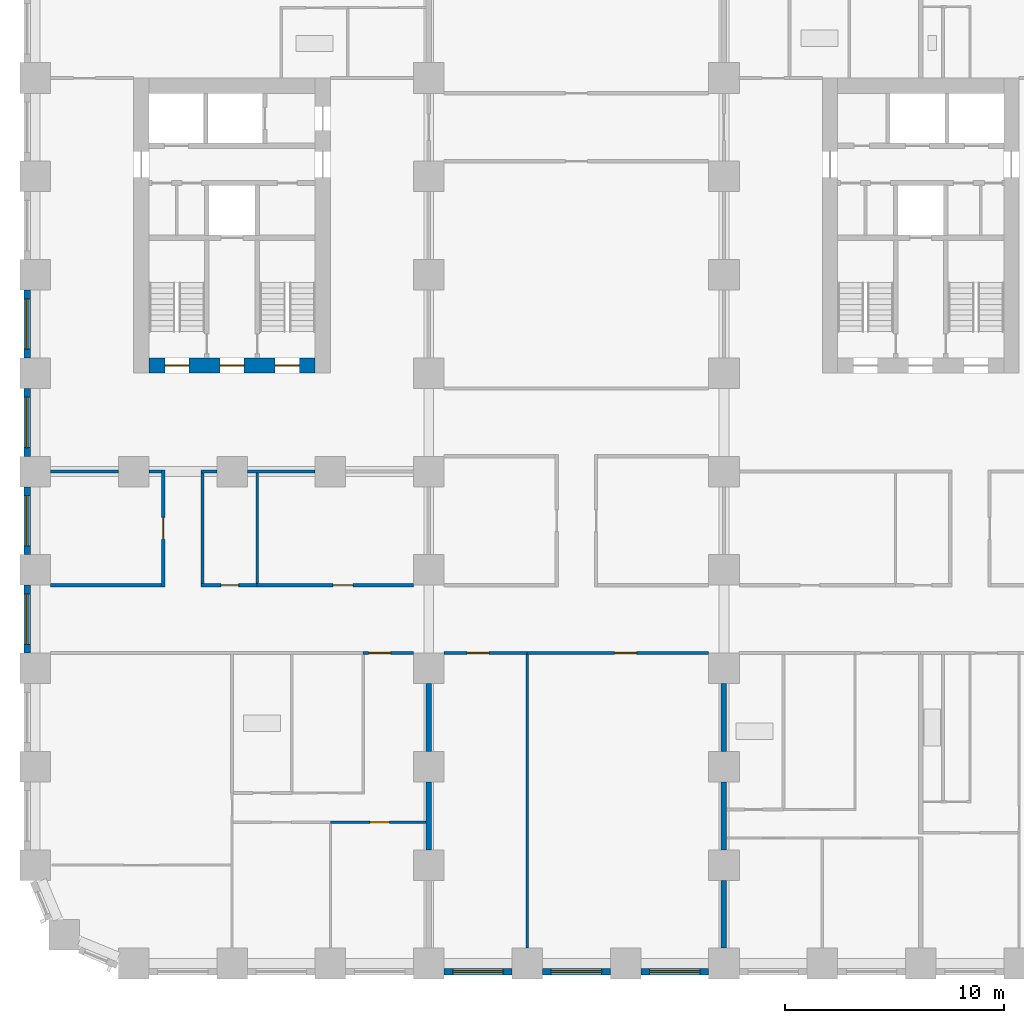
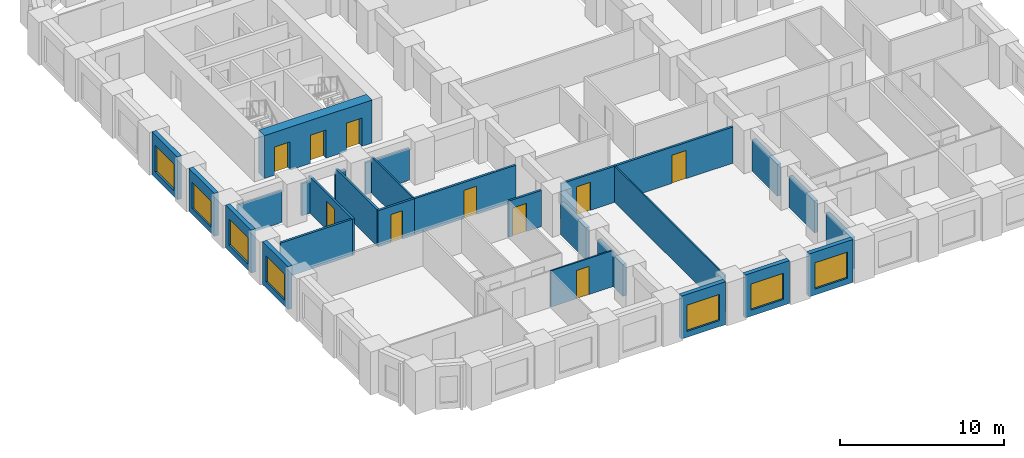
# One storey, part 3 of 12: 28 walls, 10 doors, 7 windows, 17 openings.
"""IFC4 building model written with IfcOpenShell, lengths in metres."""

from ifc_helpers import new_model, si_unit, direction, frame, frame_2d, origin, place, context, subcontext, project, spatial, rectangle, extrude, material, layer, layer_set, type_object, element, fill, save


model = new_model("IFC4")

# Units and contexts
model_context = context("Model", 3, precision=1e-05, world=origin(), true_north=direction((0.0, 1.0)))
body_context = subcontext(model_context, "Body", "Model", "MODEL_VIEW")
ifc_project = project(units=[si_unit("LENGTHUNIT", "METRE"), si_unit("AREAUNIT", "SQUARE_METRE"), si_unit("VOLUMEUNIT", "CUBIC_METRE"), si_unit("PLANEANGLEUNIT", "RADIAN"), si_unit("MASSUNIT", "GRAM", prefix="KILO")], contexts=[model_context])

# Site, building, storey
site_placement = place(None, origin())
site = spatial("IfcSite", under=ifc_project, at=site_placement, CompositionType="ELEMENT")
building_placement = place(site_placement, origin())
building = spatial("IfcBuilding", under=site, at=building_placement, Name="Girih Gate Residences", CompositionType="ELEMENT")
storey_placement = place(building_placement, frame((0.0, 0.0, 72.0)))
storey = spatial("IfcBuildingStorey", under=building, at=storey_placement, Name="L19", CompositionType="ELEMENT", Elevation=72.0)

# Walls
ifc_material_1 = material(Name="Gypsum board on steel studs", Category="steel")
ifc_layer_1 = layer(ifc_material_1, 0.25)
ifc_layer_set_1 = layer_set([ifc_layer_1], Name="Acoustic separating wall 250 mm")
wall_type_1 = type_object("IfcWallType", Name="Acoustic separating wall 250 mm", PredefinedType="PARTITIONING", material=ifc_layer_set_1)
for number, where, z_axis, x_axis, name in (
    (1, (18.0, 5.199951171875, 0.0), (0.0, 0.0, 1.0), (0.0, 1.0, 0.0), "L19 partition"),
    (2, (18.0, 9.699951171875, 0.0), (0.0, 0.0, 1.0), (0.0, 1.0, 0.0), "L19 partition"),
    (3, (31.5, 9.699951171875, 0.0), (0.0, 0.0, 1.0), (0.0, 1.0, 0.0), "L19 partition"),
    (4, (31.5, 0.699951171875, 0.0), (0.0, 0.0, 1.0), (0.0, 1.0, 0.0), "L19 partition"),
    (5, (31.5, 5.199951171875, 0.0), (0.0, 0.0, 1.0), (0.0, 1.0, 0.0), "L19 partition"),
):
    element("IfcWall", number, at=place(storey_placement, frame(where, z_axis=z_axis, x_axis=x_axis)), inside=storey, type_object=wall_type_1, Name=name, PredefinedType="PARTITIONING", context=body_context, shape_type="SweptSolid", body=[
        extrude(rectangle(XDim=3.10009765625, YDim=0.25, at=frame_2d((1.550048828125, 0.0))), origin(), (0.0, 0.0, 1.0), 2.3798828125),
    ])

# Wall, opening, door
ifc_layer_2 = layer(ifc_material_1, 0.14990234375)
ifc_layer_set_2 = layer_set([ifc_layer_2], Name="Compartment wall 150 mm")
wall_type_2 = type_object("IfcWallType", Name="Compartment wall 150 mm", PredefinedType="PARTITIONING", material=ifc_layer_set_2)
wall_1_placement = place(storey_placement, frame((17.300048828125, 14.199951171875, 0.0), z_axis=(0.0, 0.0, 1.0), x_axis=(-1.0, 0.0, 0.0)))
wall_1 = element("IfcWall", 6, at=wall_1_placement, inside=storey, type_object=wall_type_2, Name="L19 partition", PredefinedType="PARTITIONING", context=body_context, shape_type="SweptSolid", body=[
    extrude(rectangle(XDim=2.300048828125, YDim=0.14990234375, at=frame_2d((1.14990234375, 0.0))), origin(), (0.0, 0.0, 1.0), 2.699951171875),
])
opening_1_placement = place(wall_1_placement, frame((1.050048828125, 0.0, 0.0)))
opening_1 = element("IfcOpeningElement", 7, at=opening_1_placement, cuts=wall_1, Name="Opening A19-007", PredefinedType="OPENING", context=body_context, shape_type="SweptSolid", body=[
    extrude(rectangle(XDim=1.0, YDim=2.10009765625, at=frame_2d((0.5, 1.050048828125))), frame((0.0, 0.0849609375, 0.0), z_axis=(0.0, -1.0, 0.0), x_axis=(1.0, 0.0, 0.0)), (0.0, 0.0, 1.0), 0.169921875),
])
ifc_material_2 = material(Name="Timber, fire-rated core", Category="wood")
door_type_1 = type_object("IfcDoorType", Name="Flat entrance door 1000x2100 FD30S", OperationType="NOTDEFINED", PredefinedType="DOOR", material=ifc_material_2)
door_1_placement = place(opening_1_placement, origin())
door_1 = element("IfcDoor", 8, at=door_1_placement, inside=storey, type_object=door_type_1, Name="Door A19-007", OperationType="SINGLE_SWING_RIGHT", OverallHeight=2.10009765625, OverallWidth=1.0, PredefinedType="DOOR", context=body_context, shape_type="SweptSolid", body=[
    extrude(rectangle(XDim=1.0, YDim=2.10009765625, at=frame_2d((0.5, 1.050048828125))), frame((0.0, 0.02490234375, 0.0), z_axis=(0.0, -1.0, 0.0), x_axis=(1.0, 0.0, 0.0)), (0.0, 0.0, 1.0), 0.050048828125),
])
fill(opening_1, door_1)

wall_2_placement = place(storey_placement, frame((22.5, 14.199951171875, 0.0), z_axis=(0.0, 0.0, 1.0), x_axis=(-1.0, 0.0, 0.0)))
wall_2 = element("IfcWall", 9, at=wall_2_placement, inside=storey, type_object=wall_type_2, Name="L19 partition", PredefinedType="PARTITIONING", context=body_context, shape_type="SweptSolid", body=[
    extrude(rectangle(XDim=3.800048828125, YDim=0.14990234375, at=frame_2d((1.89990234375, 0.0))), origin(), (0.0, 0.0, 1.0), 2.699951171875),
])
opening_2_placement = place(wall_2_placement, frame((1.75, 0.0, 0.0)))
opening_2 = element("IfcOpeningElement", 10, at=opening_2_placement, cuts=wall_2, Name="Opening A19-038", PredefinedType="OPENING", context=body_context, shape_type="SweptSolid", body=[
    extrude(rectangle(XDim=1.0, YDim=2.10009765625, at=frame_2d((0.5, 1.050048828125))), frame((0.0, 0.0849609375, 0.0), z_axis=(0.0, -1.0, 0.0), x_axis=(1.0, 0.0, 0.0)), (0.0, 0.0, 1.0), 0.169921875),
])
door_type_2 = type_object("IfcDoorType", Name="Amenity room door 1000x2100 FD30S", OperationType="NOTDEFINED", PredefinedType="DOOR", material=ifc_material_2)
door_2_placement = place(opening_2_placement, origin())
door_2 = element("IfcDoor", 11, at=door_2_placement, inside=storey, type_object=door_type_2, Name="Door A19-038", OperationType="SINGLE_SWING_RIGHT", OverallHeight=2.10009765625, OverallWidth=1.0, PredefinedType="DOOR", context=body_context, shape_type="SweptSolid", body=[
    extrude(rectangle(XDim=1.0, YDim=2.10009765625, at=frame_2d((0.5, 1.050048828125))), frame((0.0, 0.02490234375, 0.0), z_axis=(0.0, -1.0, 0.0), x_axis=(1.0, 0.0, 0.0)), (0.0, 0.0, 1.0), 0.050048828125),
])
fill(opening_2, door_2)

wall_3_placement = place(storey_placement, frame((30.800048828125, 14.199951171875, 0.0), z_axis=(0.0, 0.0, 1.0), x_axis=(-1.0, 0.0, 0.0)))
wall_3 = element("IfcWall", 12, at=wall_3_placement, inside=storey, type_object=wall_type_2, Name="L19 partition", PredefinedType="PARTITIONING", context=body_context, shape_type="SweptSolid", body=[
    extrude(rectangle(XDim=8.300048828125, YDim=0.14990234375, at=frame_2d((4.14990234375, 0.0))), origin(), (0.0, 0.0, 1.0), 2.699951171875),
])
opening_3_placement = place(wall_3_placement, frame((3.300048828125, 0.0, 0.0)))
opening_3 = element("IfcOpeningElement", 13, at=opening_3_placement, cuts=wall_3, Name="Opening A19-039", PredefinedType="OPENING", context=body_context, shape_type="SweptSolid", body=[
    extrude(rectangle(XDim=1.0, YDim=2.10009765625, at=frame_2d((0.5, 1.050048828125))), frame((0.0, 0.0849609375, 0.0), z_axis=(0.0, -1.0, 0.0), x_axis=(1.0, 0.0, 0.0)), (0.0, 0.0, 1.0), 0.169921875),
])
door_3_placement = place(opening_3_placement, origin())
door_3 = element("IfcDoor", 14, at=door_3_placement, inside=storey, type_object=door_type_2, Name="Door A19-039", OperationType="SINGLE_SWING_LEFT", OverallHeight=2.10009765625, OverallWidth=1.0, PredefinedType="DOOR", context=body_context, shape_type="SweptSolid", body=[
    extrude(rectangle(XDim=1.0, YDim=2.10009765625, at=frame_2d((0.5, 1.050048828125))), frame((0.0, 0.02490234375, 0.0), z_axis=(0.0, -1.0, 0.0), x_axis=(1.0, 0.0, 0.0)), (0.0, 0.0, 1.0), 0.050048828125),
])
fill(opening_3, door_3)

wall_4_placement = place(storey_placement, frame((10.14990234375, 17.300048828125, 0.0), z_axis=(0.0, 0.0, 1.0), x_axis=(1.0, 0.0, 0.0)))
wall_4 = element("IfcWall", 15, at=wall_4_placement, inside=storey, type_object=wall_type_2, Name="L19 partition", PredefinedType="PARTITIONING", context=body_context, shape_type="SweptSolid", body=[
    extrude(rectangle(XDim=7.150146484375, YDim=0.14990234375, at=frame_2d((3.5751953125, 0.0))), origin(), (0.0, 0.0, 1.0), 2.699951171875),
])
opening_4_placement = place(wall_4_placement, frame((3.47509765625, 0.0, 0.0)))
opening_4 = element("IfcOpeningElement", 16, at=opening_4_placement, cuts=wall_4, Name="Opening A19-043", PredefinedType="OPENING", context=body_context, shape_type="SweptSolid", body=[
    extrude(rectangle(XDim=0.89990234375, YDim=2.10009765625, at=frame_2d((0.449951171875, 1.050048828125))), frame((0.0, 0.0849609375, 0.0), z_axis=(0.0, -1.0, 0.0), x_axis=(1.0, 0.0, 0.0)), (0.0, 0.0, 1.0), 0.169921875),
])
ifc_material_3 = material(Name="Timber", Category="wood")
door_type_3 = type_object("IfcDoorType", Name="Service room door 900x2100", OperationType="NOTDEFINED", PredefinedType="DOOR", material=ifc_material_3)
door_4_placement = place(opening_4_placement, origin())
door_4 = element("IfcDoor", 17, at=door_4_placement, inside=storey, type_object=door_type_3, Name="Door A19-043", OperationType="SINGLE_SWING_RIGHT", OverallHeight=2.10009765625, OverallWidth=0.89990234375, PredefinedType="DOOR", context=body_context, shape_type="SweptSolid", body=[
    extrude(rectangle(XDim=0.89990234375, YDim=2.10009765625, at=frame_2d((0.449951171875, 1.050048828125))), frame((0.0, 0.02490234375, 0.0), z_axis=(0.0, -1.0, 0.0), x_axis=(1.0, 0.0, 0.0)), (0.0, 0.0, 1.0), 0.050048828125),
])
fill(opening_4, door_4)

wall_5_placement = place(storey_placement, frame((7.574951171875, 17.300048828125, 0.0), z_axis=(0.0, 0.0, 1.0), x_axis=(1.0, 0.0, 0.0)))
wall_5 = element("IfcWall", 18, at=wall_5_placement, inside=storey, type_object=wall_type_2, Name="L19 partition", PredefinedType="PARTITIONING", context=body_context, shape_type="SweptSolid", body=[
    extrude(rectangle(XDim=2.574951171875, YDim=0.14990234375, at=frame_2d((1.28759765625, 0.0))), origin(), (0.0, 0.0, 1.0), 2.699951171875),
])
opening_5_placement = place(wall_5_placement, frame((0.925048828125, 0.0, 0.0)))
opening_5 = element("IfcOpeningElement", 19, at=opening_5_placement, cuts=wall_5, Name="Opening A19-045", PredefinedType="OPENING", context=body_context, shape_type="SweptSolid", body=[
    extrude(rectangle(XDim=0.800048828125, YDim=2.10009765625, at=frame_2d((0.39990234375, 1.050048828125))), frame((0.0, 0.0849609375, 0.0), z_axis=(0.0, -1.0, 0.0), x_axis=(1.0, 0.0, 0.0)), (0.0, 0.0, 1.0), 0.169921875),
])
door_type_4 = type_object("IfcDoorType", Name="Bathroom door 800x2100", OperationType="NOTDEFINED", PredefinedType="DOOR", material=ifc_material_3)
door_5_placement = place(opening_5_placement, origin())
door_5 = element("IfcDoor", 20, at=door_5_placement, inside=storey, type_object=door_type_4, Name="Door A19-045", OperationType="SINGLE_SWING_RIGHT", OverallHeight=2.10009765625, OverallWidth=0.800048828125, PredefinedType="DOOR", context=body_context, shape_type="SweptSolid", body=[
    extrude(rectangle(XDim=0.800048828125, YDim=2.10009765625, at=frame_2d((0.39990234375, 1.050048828125))), frame((0.0, 0.02490234375, 0.0), z_axis=(0.0, -1.0, 0.0), x_axis=(1.0, 0.0, 0.0)), (0.0, 0.0, 1.0), 0.050048828125),
])
fill(opening_5, door_5)

# Walls
wall_6_placement = place(storey_placement, frame((0.699951171875, 17.300048828125, 0.0), z_axis=(0.0, 0.0, 1.0), x_axis=(1.0, 0.0, 0.0)))
element("IfcWall", 21, at=wall_6_placement, inside=storey, type_object=wall_type_2, Name="L19 partition", PredefinedType="PARTITIONING", context=body_context, shape_type="SweptSolid", body=[
    extrude(rectangle(XDim=5.074951171875, YDim=0.14990234375, at=frame_2d((2.53759765625, 0.0))), origin(), (0.0, 0.0, 1.0), 2.699951171875),
])
wall_7_placement = place(storey_placement, frame((9.699951171875, 22.5, 0.0), z_axis=(0.0, 0.0, 1.0), x_axis=(1.0, 0.0, 0.0)))
element("IfcWall", 22, at=wall_7_placement, inside=storey, type_object=wall_type_2, Name="L19 partition", PredefinedType="PARTITIONING", context=body_context, shape_type="SweptSolid", body=[
    extrude(rectangle(XDim=3.10009765625, YDim=0.14990234375, at=frame_2d((1.550048828125, 0.0))), origin(), (0.0, 0.0, 1.0), 2.3798828125),
])
wall_8_placement = place(storey_placement, frame((7.574951171875, 22.5, 0.0), z_axis=(0.0, 0.0, 1.0), x_axis=(1.0, 0.0, 0.0)))
element("IfcWall", 23, at=wall_8_placement, inside=storey, type_object=wall_type_2, Name="L19 partition", PredefinedType="PARTITIONING", context=body_context, shape_type="SweptSolid", body=[
    extrude(rectangle(XDim=0.72509765625, YDim=0.14990234375, at=frame_2d((0.362548828125, 0.0))), origin(), (0.0, 0.0, 1.0), 2.3798828125),
])
wall_9_placement = place(storey_placement, frame((5.199951171875, 22.5, 0.0), z_axis=(0.0, 0.0, 1.0), x_axis=(1.0, 0.0, 0.0)))
element("IfcWall", 24, at=wall_9_placement, inside=storey, type_object=wall_type_2, Name="L19 partition", PredefinedType="PARTITIONING", context=body_context, shape_type="SweptSolid", body=[
    extrude(rectangle(XDim=0.574951171875, YDim=0.14990234375, at=frame_2d((0.28759765625, 0.0))), origin(), (0.0, 0.0, 1.0), 2.3798828125),
])
wall_10_placement = place(storey_placement, frame((0.699951171875, 22.5, 0.0), z_axis=(0.0, 0.0, 1.0), x_axis=(1.0, 0.0, 0.0)))
element("IfcWall", 25, at=wall_10_placement, inside=storey, type_object=wall_type_2, Name="L19 partition", PredefinedType="PARTITIONING", context=body_context, shape_type="SweptSolid", body=[
    extrude(rectangle(XDim=3.10009765625, YDim=0.14990234375, at=frame_2d((1.550048828125, 0.0))), origin(), (0.0, 0.0, 1.0), 2.3798828125),
])
wall_11_placement = place(storey_placement, frame((7.64990234375, 17.375, 0.0), z_axis=(0.0, 0.0, 1.0), x_axis=(0.0, 1.0, 0.0)))
element("IfcWall", 26, at=wall_11_placement, inside=storey, type_object=wall_type_2, Name="L19 partition", PredefinedType="PARTITIONING", context=body_context, shape_type="SweptSolid", body=[
    extrude(rectangle(XDim=5.050048828125, YDim=0.14990234375, at=frame_2d((2.52490234375, 0.0))), origin(), (0.0, 0.0, 1.0), 2.699951171875),
])

# Wall, opening, door
wall_12_placement = place(storey_placement, frame((5.85009765625, 17.22509765625, 0.0), z_axis=(0.0, 0.0, 1.0), x_axis=(0.0, 1.0, 0.0)))
wall_12 = element("IfcWall", 27, at=wall_12_placement, inside=storey, type_object=wall_type_2, Name="L19 partition", PredefinedType="PARTITIONING", context=body_context, shape_type="SweptSolid", body=[
    extrude(rectangle(XDim=5.349853515625, YDim=0.14990234375, at=frame_2d((2.6748046875, 0.0))), origin(), (0.0, 0.0, 1.0), 2.699951171875),
])
opening_6_placement = place(wall_12_placement, frame((2.175048828125, 0.0, 0.0)))
opening_6 = element("IfcOpeningElement", 28, at=opening_6_placement, cuts=wall_12, Name="Opening A19-047", PredefinedType="OPENING", context=body_context, shape_type="SweptSolid", body=[
    extrude(rectangle(XDim=1.0, YDim=2.10009765625, at=frame_2d((0.5, 1.050048828125))), frame((0.0, 0.0849609375, 0.0), z_axis=(0.0, -1.0, 0.0), x_axis=(1.0, 0.0, 0.0)), (0.0, 0.0, 1.0), 0.169921875),
])
door_6_placement = place(opening_6_placement, origin())
door_6 = element("IfcDoor", 29, at=door_6_placement, inside=storey, type_object=door_type_2, Name="Door A19-047", OperationType="SINGLE_SWING_LEFT", OverallHeight=2.10009765625, OverallWidth=1.0, PredefinedType="DOOR", context=body_context, shape_type="SweptSolid", body=[
    extrude(rectangle(XDim=1.0, YDim=2.10009765625, at=frame_2d((0.5, 1.050048828125))), frame((0.0, 0.02490234375, 0.0), z_axis=(0.0, -1.0, 0.0), x_axis=(1.0, 0.0, 0.0)), (0.0, 0.0, 1.0), 0.050048828125),
])
fill(opening_6, door_6)

# Wall, openings, doors
ifc_material_4 = material(Name="Concrete C60/75", Category="concrete")
ifc_layer_3 = layer(ifc_material_4, 0.699951171875)
ifc_layer_set_3 = layer_set([ifc_layer_3], Name="Core wall RC 700 Concrete C60/75")
wall_type_3 = type_object("IfcWallType", Name="Core wall RC 700 Concrete C60/75", PredefinedType="SOLIDWALL", material=ifc_layer_set_3)
wall_13_placement = place(storey_placement, frame((5.199951171875, 27.35009765625, 0.0), z_axis=(0.0, 0.0, 1.0), x_axis=(1.0, 0.0, 0.0)))
wall_13 = element("IfcWall", 30, at=wall_13_placement, inside=storey, type_object=wall_type_3, Name="Core wall W-S L19", PredefinedType="SOLIDWALL", context=body_context, shape_type="SweptSolid", body=[
    extrude(rectangle(XDim=7.60009765625, YDim=0.699951171875, at=frame_2d((3.800048828125, 0.0))), origin(), (0.0, 0.0, 1.0), 3.199951171875),
])
opening_7_placement = place(wall_13_placement, frame((0.72509765625, 0.0, 0.0)))
opening_7 = element("IfcOpeningElement", 31, at=opening_7_placement, cuts=wall_13, Name="Opening D-L19-W-009", PredefinedType="OPENING", context=body_context, shape_type="SweptSolid", body=[
    extrude(rectangle(XDim=1.10009765625, YDim=2.10009765625, at=frame_2d((0.550048828125, 1.050048828125))), frame((0.0, 0.35986328125, 0.0), z_axis=(0.0, -1.0, 0.0), x_axis=(1.0, 0.0, 0.0)), (0.0, 0.0, 1.0), 0.719970703125),
])
opening_8_placement = place(wall_13_placement, frame((3.25, 0.0, 0.0)))
opening_8 = element("IfcOpeningElement", 32, at=opening_8_placement, cuts=wall_13, Name="Opening D-L19-W-010", PredefinedType="OPENING", context=body_context, shape_type="SweptSolid", body=[
    extrude(rectangle(XDim=1.10009765625, YDim=2.10009765625, at=frame_2d((0.550048828125, 1.050048828125))), frame((0.0, 0.35986328125, 0.0), z_axis=(0.0, -1.0, 0.0), x_axis=(1.0, 0.0, 0.0)), (0.0, 0.0, 1.0), 0.719970703125),
])
opening_9_placement = place(wall_13_placement, frame((5.77490234375, 0.0, 0.0)))
opening_9 = element("IfcOpeningElement", 33, at=opening_9_placement, cuts=wall_13, Name="Opening D-L19-W-011", PredefinedType="OPENING", context=body_context, shape_type="SweptSolid", body=[
    extrude(rectangle(XDim=1.10009765625, YDim=2.10009765625, at=frame_2d((0.550048828125, 1.050048828125))), frame((0.0, 0.35986328125, 0.0), z_axis=(0.0, -1.0, 0.0), x_axis=(1.0, 0.0, 0.0)), (0.0, 0.0, 1.0), 0.719970703125),
])
ifc_material_5 = material(Name="Painted steel, fire-resisting", Category="steel")
door_type_5 = type_object("IfcDoorType", Name="Fire door 1100x2100", OperationType="SINGLE_SWING_LEFT", PredefinedType="DOOR", material=ifc_material_5)
door_7_placement = place(opening_7_placement, origin())
door_7 = element("IfcDoor", 34, at=door_7_placement, inside=storey, type_object=door_type_5, Name="L19 W core door sta-out", OperationType="SINGLE_SWING_LEFT", OverallHeight=2.10009765625, OverallWidth=1.10009765625, PredefinedType="DOOR", context=body_context, shape_type="SweptSolid", body=[
    extrude(rectangle(XDim=1.10009765625, YDim=2.10009765625, at=frame_2d((0.550048828125, 1.050048828125))), frame((0.0, 0.02490234375, 0.0), z_axis=(0.0, -1.0, 0.0), x_axis=(1.0, 0.0, 0.0)), (0.0, 0.0, 1.0), 0.050048828125),
])
fill(opening_7, door_7)
door_8_placement = place(opening_8_placement, origin())
door_8 = element("IfcDoor", 35, at=door_8_placement, inside=storey, type_object=door_type_5, Name="L19 W core door ffl-out", OperationType="SINGLE_SWING_LEFT", OverallHeight=2.10009765625, OverallWidth=1.10009765625, PredefinedType="DOOR", context=body_context, shape_type="SweptSolid", body=[
    extrude(rectangle(XDim=1.10009765625, YDim=2.10009765625, at=frame_2d((0.550048828125, 1.050048828125))), frame((0.0, 0.02490234375, 0.0), z_axis=(0.0, -1.0, 0.0), x_axis=(1.0, 0.0, 0.0)), (0.0, 0.0, 1.0), 0.050048828125),
])
fill(opening_8, door_8)
door_9_placement = place(opening_9_placement, origin())
door_9 = element("IfcDoor", 36, at=door_9_placement, inside=storey, type_object=door_type_5, Name="L19 W core door stb-out", OperationType="SINGLE_SWING_LEFT", OverallHeight=2.10009765625, OverallWidth=1.10009765625, PredefinedType="DOOR", context=body_context, shape_type="SweptSolid", body=[
    extrude(rectangle(XDim=1.10009765625, YDim=2.10009765625, at=frame_2d((0.550048828125, 1.050048828125))), frame((0.0, 0.02490234375, 0.0), z_axis=(0.0, -1.0, 0.0), x_axis=(1.0, 0.0, 0.0)), (0.0, 0.0, 1.0), 0.050048828125),
])
fill(opening_9, door_9)

# Wall, opening, door
ifc_layer_4 = layer(ifc_material_1, 0.10009765625)
ifc_layer_set_4 = layer_set([ifc_layer_4], Name="Partition 100 mm")
wall_type_4 = type_object("IfcWallType", Name="Partition 100 mm", PredefinedType="PARTITIONING", material=ifc_layer_set_4)
wall_14_placement = place(storey_placement, frame((17.875, 6.4599609375, 0.0), z_axis=(0.0, 0.0, 1.0), x_axis=(-1.0, 0.0, 0.0)))
wall_14 = element("IfcWall", 37, at=wall_14_placement, inside=storey, type_object=wall_type_4, Name="L19 partition", PredefinedType="PARTITIONING", context=body_context, shape_type="SweptSolid", body=[
    extrude(rectangle(XDim=4.375, YDim=0.10009765625, at=frame_2d((2.1875, 0.0))), origin(), (0.0, 0.0, 1.0), 2.699951171875),
])
opening_10_placement = place(wall_14_placement, frame((1.675048828125, 0.0, 0.0)))
opening_10 = element("IfcOpeningElement", 38, at=opening_10_placement, cuts=wall_14, Name="Opening A19-003", PredefinedType="OPENING", context=body_context, shape_type="SweptSolid", body=[
    extrude(rectangle(XDim=0.89990234375, YDim=2.10009765625, at=frame_2d((0.449951171875, 1.050048828125))), frame((0.0, 0.06005859375, 0.0), z_axis=(0.0, -1.0, 0.0), x_axis=(1.0, 0.0, 0.0)), (0.0, 0.0, 1.0), 0.1201171875),
])
door_type_6 = type_object("IfcDoorType", Name="Bedroom door 900x2100", OperationType="NOTDEFINED", PredefinedType="DOOR", material=ifc_material_3)
door_10_placement = place(opening_10_placement, origin())
door_10 = element("IfcDoor", 39, at=door_10_placement, inside=storey, type_object=door_type_6, Name="Door A19-003", OperationType="SINGLE_SWING_LEFT", OverallHeight=2.10009765625, OverallWidth=0.89990234375, PredefinedType="DOOR", context=body_context, shape_type="SweptSolid", body=[
    extrude(rectangle(XDim=0.89990234375, YDim=2.10009765625, at=frame_2d((0.449951171875, 1.050048828125))), frame((0.0, 0.02490234375, 0.0), z_axis=(0.0, -1.0, 0.0), x_axis=(1.0, 0.0, 0.0)), (0.0, 0.0, 1.0), 0.050048828125),
])
fill(opening_10, door_10)

# Walls
wall_15_placement = place(storey_placement, frame((22.5, 0.699951171875, 0.0), z_axis=(0.0, 0.0, 1.0), x_axis=(0.0, 1.0, 0.0)))
element("IfcWall", 40, at=wall_15_placement, inside=storey, type_object=wall_type_4, Name="L19 partition", PredefinedType="PARTITIONING", context=body_context, shape_type="SweptSolid", body=[
    extrude(rectangle(XDim=13.425048828125, YDim=0.10009765625, at=frame_2d((6.71240234375, 0.0))), origin(), (0.0, 0.0, 1.0), 2.699951171875),
])
wall_16_placement = place(storey_placement, frame((10.14990234375, 17.375, 0.0), z_axis=(0.0, 0.0, 1.0), x_axis=(0.0, 1.0, 0.0)))
element("IfcWall", 41, at=wall_16_placement, inside=storey, type_object=wall_type_4, Name="L19 partition", PredefinedType="PARTITIONING", context=body_context, shape_type="SweptSolid", body=[
    extrude(rectangle(XDim=5.050048828125, YDim=0.10009765625, at=frame_2d((2.52490234375, 0.0))), origin(), (0.0, 0.0, 1.0), 2.699951171875),
])

# Wall, opening, window
ifc_material_6 = material(Name="Precast concrete C50/60", Category="concrete")
ifc_layer_5 = layer(ifc_material_6, 0.080078125, Name="Outer leaf")
ifc_material_7 = material(Name="Rigid PIR insulation")
ifc_layer_6 = layer(ifc_material_7, 0.14990234375, Name="Insulation")
ifc_material_8 = material(Name="Precast concrete C40/50", Category="concrete")
ifc_layer_7 = layer(ifc_material_8, 0.070068359375, Name="Inner leaf")
ifc_layer_set_5 = layer_set([ifc_layer_5, ifc_layer_6, ifc_layer_7], Name="Precast concrete C50/60 external wall 300")
wall_type_5 = type_object("IfcWallType", Name="Precast concrete C50/60 external wall 300", PredefinedType="SOLIDWALL", material=ifc_layer_set_5)
wall_17_placement = place(storey_placement, frame((21.800048828125, -0.375, 0.0), z_axis=(0.0, 0.0, 1.0), x_axis=(-1.0, 0.0, 0.0)))
wall_17 = element("IfcWall", 42, at=wall_17_placement, inside=storey, type_object=wall_type_5, Name="External wall S0045_0000.3", PredefinedType="SOLIDWALL", context=body_context, shape_type="SweptSolid", body=[
    extrude(rectangle(XDim=3.10009765625, YDim=0.300048828125, at=frame_2d((1.550048828125, 0.0))), origin(), (0.0, 0.0, 1.0), 3.199951171875),
])
opening_11_placement = place(wall_17_placement, frame((0.39990234375, 0.0, 0.449951171875)))
opening_11 = element("IfcOpeningElement", 43, at=opening_11_placement, cuts=wall_17, Name="Opening W-1", PredefinedType="OPENING", context=body_context, shape_type="SweptSolid", body=[
    extrude(rectangle(XDim=2.300048828125, YDim=1.949951171875, at=frame_2d((1.14990234375, 0.97509765625))), frame((0.0, 0.159912109375, 0.0), z_axis=(0.0, -1.0, 0.0), x_axis=(1.0, 0.0, 0.0)), (0.0, 0.0, 1.0), 0.320068359375),
])
ifc_material_9 = material(Name="Double glazing in aluminium frame", Category="aluminium")
window_type = type_object("IfcWindowType", Name="Window W-1 2300x1950", PartitioningType="SINGLE_PANEL", PredefinedType="WINDOW", material=ifc_material_9)
window_1_placement = place(opening_11_placement, origin())
window_1 = element("IfcWindow", 44, at=window_1_placement, inside=storey, type_object=window_type, Name="Window W-1 S0045_0000.3", OverallHeight=1.949951171875, OverallWidth=2.300048828125, PartitioningType="SINGLE_PANEL", PredefinedType="WINDOW", context=body_context, shape_type="SweptSolid", body=[
    extrude(rectangle(XDim=2.300048828125, YDim=1.949951171875, at=frame_2d((1.14990234375, 0.97509765625))), frame((0.0, 0.030029296875, 0.0), z_axis=(0.0, -1.0, 0.0), x_axis=(1.0, 0.0, 0.0)), (0.0, 0.0, 1.0), 0.06005859375),
])
fill(opening_11, window_1)

wall_18_placement = place(storey_placement, frame((26.300048828125, -0.375, 0.0), z_axis=(0.0, 0.0, 1.0), x_axis=(-1.0, 0.0, 0.0)))
wall_18 = element("IfcWall", 45, at=wall_18_placement, inside=storey, type_object=wall_type_5, Name="External wall S0045_0000.4", PredefinedType="SOLIDWALL", context=body_context, shape_type="SweptSolid", body=[
    extrude(rectangle(XDim=3.10009765625, YDim=0.300048828125, at=frame_2d((1.550048828125, 0.0))), origin(), (0.0, 0.0, 1.0), 3.199951171875),
])
opening_12_placement = place(wall_18_placement, frame((0.39990234375, 0.0, 0.449951171875)))
opening_12 = element("IfcOpeningElement", 46, at=opening_12_placement, cuts=wall_18, Name="Opening W-1", PredefinedType="OPENING", context=body_context, shape_type="SweptSolid", body=[
    extrude(rectangle(XDim=2.300048828125, YDim=1.949951171875, at=frame_2d((1.14990234375, 0.97509765625))), frame((0.0, 0.159912109375, 0.0), z_axis=(0.0, -1.0, 0.0), x_axis=(1.0, 0.0, 0.0)), (0.0, 0.0, 1.0), 0.320068359375),
])
window_2_placement = place(opening_12_placement, origin())
window_2 = element("IfcWindow", 47, at=window_2_placement, inside=storey, type_object=window_type, Name="Window W-1 S0045_0000.4", OverallHeight=1.949951171875, OverallWidth=2.300048828125, PartitioningType="SINGLE_PANEL", PredefinedType="WINDOW", context=body_context, shape_type="SweptSolid", body=[
    extrude(rectangle(XDim=2.300048828125, YDim=1.949951171875, at=frame_2d((1.14990234375, 0.97509765625))), frame((0.0, 0.030029296875, 0.0), z_axis=(0.0, -1.0, 0.0), x_axis=(1.0, 0.0, 0.0)), (0.0, 0.0, 1.0), 0.06005859375),
])
fill(opening_12, window_2)

wall_19_placement = place(storey_placement, frame((30.800048828125, -0.375, 0.0), z_axis=(0.0, 0.0, 1.0), x_axis=(-1.0, 0.0, 0.0)))
wall_19 = element("IfcWall", 48, at=wall_19_placement, inside=storey, type_object=wall_type_5, Name="External wall S0045_0000.5", PredefinedType="SOLIDWALL", context=body_context, shape_type="SweptSolid", body=[
    extrude(rectangle(XDim=3.10009765625, YDim=0.300048828125, at=frame_2d((1.550048828125, 0.0))), origin(), (0.0, 0.0, 1.0), 3.199951171875),
])
opening_13_placement = place(wall_19_placement, frame((0.39990234375, 0.0, 0.449951171875)))
opening_13 = element("IfcOpeningElement", 49, at=opening_13_placement, cuts=wall_19, Name="Opening W-1", PredefinedType="OPENING", context=body_context, shape_type="SweptSolid", body=[
    extrude(rectangle(XDim=2.300048828125, YDim=1.949951171875, at=frame_2d((1.14990234375, 0.97509765625))), frame((0.0, 0.159912109375, 0.0), z_axis=(0.0, -1.0, 0.0), x_axis=(1.0, 0.0, 0.0)), (0.0, 0.0, 1.0), 0.320068359375),
])
window_3_placement = place(opening_13_placement, origin())
window_3 = element("IfcWindow", 50, at=window_3_placement, inside=storey, type_object=window_type, Name="Window W-1 S0045_0000.5", OverallHeight=1.949951171875, OverallWidth=2.300048828125, PartitioningType="SINGLE_PANEL", PredefinedType="WINDOW", context=body_context, shape_type="SweptSolid", body=[
    extrude(rectangle(XDim=2.300048828125, YDim=1.949951171875, at=frame_2d((1.14990234375, 0.97509765625))), frame((0.0, 0.030029296875, 0.0), z_axis=(0.0, -1.0, 0.0), x_axis=(1.0, 0.0, 0.0)), (0.0, 0.0, 1.0), 0.06005859375),
])
fill(opening_13, window_3)

wall_20_placement = place(storey_placement, frame((-0.375, 27.699951171875, 0.0), z_axis=(0.0, 0.0, 1.0), x_axis=(0.0, 1.0, 0.0)))
wall_20 = element("IfcWall", 51, at=wall_20_placement, inside=storey, type_object=wall_type_5, Name="External wall W0000_0450.3", PredefinedType="SOLIDWALL", context=body_context, shape_type="SweptSolid", body=[
    extrude(rectangle(XDim=3.10009765625, YDim=0.300048828125, at=frame_2d((1.550048828125, 0.0))), origin(), (0.0, 0.0, 1.0), 3.199951171875),
])
opening_14_placement = place(wall_20_placement, frame((0.39990234375, 0.0, 0.449951171875)))
opening_14 = element("IfcOpeningElement", 52, at=opening_14_placement, cuts=wall_20, Name="Opening W-1", PredefinedType="OPENING", context=body_context, shape_type="SweptSolid", body=[
    extrude(rectangle(XDim=2.300048828125, YDim=1.949951171875, at=frame_2d((1.14990234375, 0.97509765625))), frame((0.0, 0.159912109375, 0.0), z_axis=(0.0, -1.0, 0.0), x_axis=(1.0, 0.0, 0.0)), (0.0, 0.0, 1.0), 0.320068359375),
])
window_4_placement = place(opening_14_placement, origin())
window_4 = element("IfcWindow", 53, at=window_4_placement, inside=storey, type_object=window_type, Name="Window W-1 W0000_0450.3", OverallHeight=1.949951171875, OverallWidth=2.300048828125, PartitioningType="SINGLE_PANEL", PredefinedType="WINDOW", context=body_context, shape_type="SweptSolid", body=[
    extrude(rectangle(XDim=2.300048828125, YDim=1.949951171875, at=frame_2d((1.14990234375, 0.97509765625))), frame((0.0, 0.030029296875, 0.0), z_axis=(0.0, -1.0, 0.0), x_axis=(1.0, 0.0, 0.0)), (0.0, 0.0, 1.0), 0.06005859375),
])
fill(opening_14, window_4)

wall_21_placement = place(storey_placement, frame((-0.375, 23.199951171875, 0.0), z_axis=(0.0, 0.0, 1.0), x_axis=(0.0, 1.0, 0.0)))
wall_21 = element("IfcWall", 54, at=wall_21_placement, inside=storey, type_object=wall_type_5, Name="External wall W0000_0450.4", PredefinedType="SOLIDWALL", context=body_context, shape_type="SweptSolid", body=[
    extrude(rectangle(XDim=3.10009765625, YDim=0.300048828125, at=frame_2d((1.550048828125, 0.0))), origin(), (0.0, 0.0, 1.0), 3.199951171875),
])
opening_15_placement = place(wall_21_placement, frame((0.39990234375, 0.0, 0.449951171875)))
opening_15 = element("IfcOpeningElement", 55, at=opening_15_placement, cuts=wall_21, Name="Opening W-1", PredefinedType="OPENING", context=body_context, shape_type="SweptSolid", body=[
    extrude(rectangle(XDim=2.300048828125, YDim=1.949951171875, at=frame_2d((1.14990234375, 0.97509765625))), frame((0.0, 0.159912109375, 0.0), z_axis=(0.0, -1.0, 0.0), x_axis=(1.0, 0.0, 0.0)), (0.0, 0.0, 1.0), 0.320068359375),
])
window_5_placement = place(opening_15_placement, origin())
window_5 = element("IfcWindow", 56, at=window_5_placement, inside=storey, type_object=window_type, Name="Window W-1 W0000_0450.4", OverallHeight=1.949951171875, OverallWidth=2.300048828125, PartitioningType="SINGLE_PANEL", PredefinedType="WINDOW", context=body_context, shape_type="SweptSolid", body=[
    extrude(rectangle(XDim=2.300048828125, YDim=1.949951171875, at=frame_2d((1.14990234375, 0.97509765625))), frame((0.0, 0.030029296875, 0.0), z_axis=(0.0, -1.0, 0.0), x_axis=(1.0, 0.0, 0.0)), (0.0, 0.0, 1.0), 0.06005859375),
])
fill(opening_15, window_5)

wall_22_placement = place(storey_placement, frame((-0.375, 18.699951171875, 0.0), z_axis=(0.0, 0.0, 1.0), x_axis=(0.0, 1.0, 0.0)))
wall_22 = element("IfcWall", 57, at=wall_22_placement, inside=storey, type_object=wall_type_5, Name="External wall W0000_0450.5", PredefinedType="SOLIDWALL", context=body_context, shape_type="SweptSolid", body=[
    extrude(rectangle(XDim=3.10009765625, YDim=0.300048828125, at=frame_2d((1.550048828125, 0.0))), origin(), (0.0, 0.0, 1.0), 3.199951171875),
])
opening_16_placement = place(wall_22_placement, frame((0.39990234375, 0.0, 0.449951171875)))
opening_16 = element("IfcOpeningElement", 58, at=opening_16_placement, cuts=wall_22, Name="Opening W-1", PredefinedType="OPENING", context=body_context, shape_type="SweptSolid", body=[
    extrude(rectangle(XDim=2.300048828125, YDim=1.949951171875, at=frame_2d((1.14990234375, 0.97509765625))), frame((0.0, 0.159912109375, 0.0), z_axis=(0.0, -1.0, 0.0), x_axis=(1.0, 0.0, 0.0)), (0.0, 0.0, 1.0), 0.320068359375),
])
window_6_placement = place(opening_16_placement, origin())
window_6 = element("IfcWindow", 59, at=window_6_placement, inside=storey, type_object=window_type, Name="Window W-1 W0000_0450.5", OverallHeight=1.949951171875, OverallWidth=2.300048828125, PartitioningType="SINGLE_PANEL", PredefinedType="WINDOW", context=body_context, shape_type="SweptSolid", body=[
    extrude(rectangle(XDim=2.300048828125, YDim=1.949951171875, at=frame_2d((1.14990234375, 0.97509765625))), frame((0.0, 0.030029296875, 0.0), z_axis=(0.0, -1.0, 0.0), x_axis=(1.0, 0.0, 0.0)), (0.0, 0.0, 1.0), 0.06005859375),
])
fill(opening_16, window_6)

wall_23_placement = place(storey_placement, frame((-0.375, 14.199951171875, 0.0), z_axis=(0.0, 0.0, 1.0), x_axis=(0.0, 1.0, 0.0)))
wall_23 = element("IfcWall", 60, at=wall_23_placement, inside=storey, type_object=wall_type_5, Name="External wall W0000_0450.6", PredefinedType="SOLIDWALL", context=body_context, shape_type="SweptSolid", body=[
    extrude(rectangle(XDim=3.10009765625, YDim=0.300048828125, at=frame_2d((1.550048828125, 0.0))), origin(), (0.0, 0.0, 1.0), 3.199951171875),
])
opening_17_placement = place(wall_23_placement, frame((0.39990234375, 0.0, 0.449951171875)))
opening_17 = element("IfcOpeningElement", 61, at=opening_17_placement, cuts=wall_23, Name="Opening W-1", PredefinedType="OPENING", context=body_context, shape_type="SweptSolid", body=[
    extrude(rectangle(XDim=2.300048828125, YDim=1.949951171875, at=frame_2d((1.14990234375, 0.97509765625))), frame((0.0, 0.159912109375, 0.0), z_axis=(0.0, -1.0, 0.0), x_axis=(1.0, 0.0, 0.0)), (0.0, 0.0, 1.0), 0.320068359375),
])
window_7_placement = place(opening_17_placement, origin())
window_7 = element("IfcWindow", 62, at=window_7_placement, inside=storey, type_object=window_type, Name="Window W-1 W0000_0450.6", OverallHeight=1.949951171875, OverallWidth=2.300048828125, PartitioningType="SINGLE_PANEL", PredefinedType="WINDOW", context=body_context, shape_type="SweptSolid", body=[
    extrude(rectangle(XDim=2.300048828125, YDim=1.949951171875, at=frame_2d((1.14990234375, 0.97509765625))), frame((0.0, 0.030029296875, 0.0), z_axis=(0.0, -1.0, 0.0), x_axis=(1.0, 0.0, 0.0)), (0.0, 0.0, 1.0), 0.06005859375),
])
fill(opening_17, window_7)

save(model, "model.ifc")
